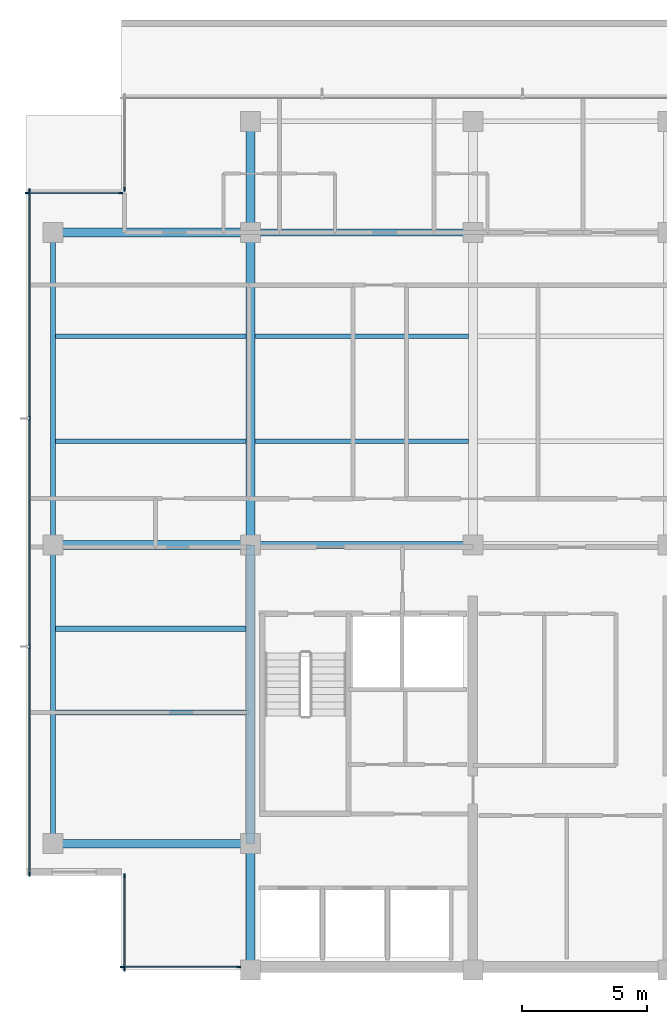
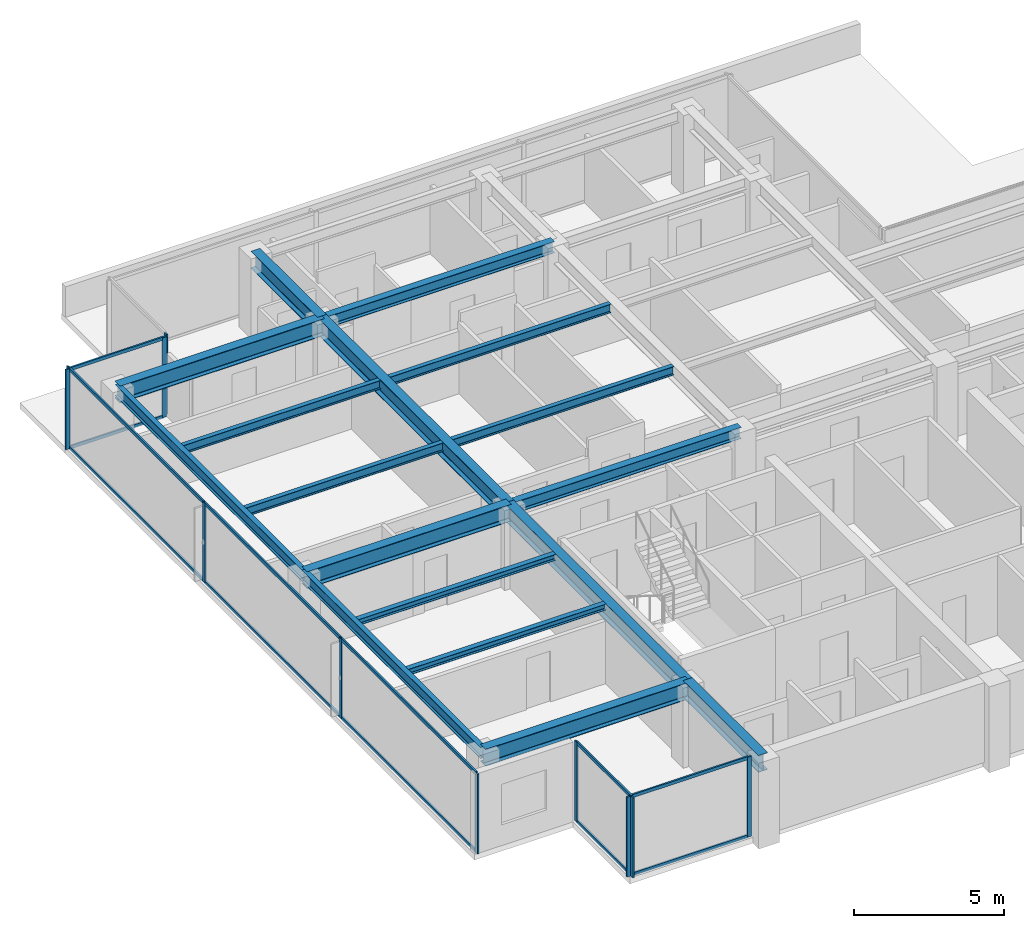
# One storey, part 2 of 11: 23 members, 17 beams, 5 elements without a shape of their own.
"""IFC4 building model written with IfcOpenShell, lengths in metres."""

import ifcopenshell
import ifcopenshell.guid

model = None  # the IFC model being written
_history = None  # IfcOwnerHistory: only IFC2X3 demands one
_inside = {}  # id of a spatial element -> (the spatial element, [elements in it])
_under = {}  # id of a project, library or spatial element -> (it, [spatial elements below it])
_declared = {}  # id of a project -> (the project, [libraries it declares])
_typed = {}  # id of a type object -> (the type object, [elements of that type])
_made_of = {}  # id of a material, layer set ... -> (it, [elements and type objects made of it])


def new_model(schema):
    """Start an empty IFC model of exactly this schema.

    Asked for "IFC4X3", IfcOpenShell would pick the latest addendum, in which some entities
    have other attributes; the version numbers below select the first issue.
    IFC2X3 requires an IfcOwnerHistory on every rooted entity: one is made here for all.
    """
    global model, _history
    if schema == "IFC4X3":
        model = ifcopenshell.file(schema_version=(4, 3, 0, 0))
    else:
        model = ifcopenshell.file(schema=schema)
    _inside.clear()
    _under.clear()
    _declared.clear()
    _typed.clear()
    _made_of.clear()
    _history = None
    if model.schema == "IFC2X3":
        org = make("IfcOrganization", Name="unknown")
        user = make(
            "IfcPersonAndOrganization",
            ThePerson=make("IfcPerson", FamilyName="unknown"),
            TheOrganization=org,
        )
        app = make(
            "IfcApplication",
            ApplicationDeveloper=org,
            Version="unknown",
            ApplicationFullName="unknown",
            ApplicationIdentifier="unknown",
        )
        _history = make(
            "IfcOwnerHistory",
            OwningUser=user,
            OwningApplication=app,
            ChangeAction="ADDED",
            CreationDate=0,
        )
    return model


def make(cls, **values):
    """One entity of the class cls with the attributes given. An attribute that is None is left unset."""
    return model.create_entity(
        cls, **{name: value for name, value in values.items() if value is not None}
    )


def rooted(cls, **values):
    """An entity with a GlobalId (a new one), such as an element, a storey or a relation."""
    return make(cls, GlobalId=ifcopenshell.guid.new(), OwnerHistory=_history, **values)


def si_unit(unit_type, name, prefix=None):
    """IfcSIUnit, for example si_unit("LENGTHUNIT", "METRE", prefix="MILLI")."""
    return make("IfcSIUnit", UnitType=unit_type, Prefix=prefix, Name=name)


def assignment(units):
    """IfcUnitAssignment: the units of a project."""
    return None if units is None else make("IfcUnitAssignment", Units=units)


def point(xyz):
    """IfcCartesianPoint."""
    return None if xyz is None else make("IfcCartesianPoint", Coordinates=xyz)


def direction(xyz):
    """IfcDirection."""
    return None if xyz is None else make("IfcDirection", DirectionRatios=xyz)


def frame(location, z_axis=None, x_axis=None):
    """IfcAxis2Placement3D, a coordinate frame: its origin and axes. An axis left out is left unset."""
    return make(
        "IfcAxis2Placement3D",
        Location=point(location),
        Axis=direction(z_axis),
        RefDirection=direction(x_axis),
    )


def frame_2d(location, x_axis=None):
    """IfcAxis2Placement2D, a coordinate frame in the plane: its origin and x axis."""
    return make(
        "IfcAxis2Placement2D", Location=point(location), RefDirection=direction(x_axis)
    )


def origin():
    """The frame at (0, 0, 0) with its axes left unset."""
    return frame((0.0, 0.0, 0.0))


def origin_2d():
    """The frame at (0, 0) in the plane with its x axis left unset."""
    return frame_2d((0.0, 0.0))


def place(relative_to, where):
    """IfcLocalPlacement: puts the frame where relative to a parent placement (None: the world)."""
    return make(
        "IfcLocalPlacement", PlacementRelTo=relative_to, RelativePlacement=where
    )


def context(
    kind, dimensions, precision=None, world=None, true_north=None, identifier=None
):
    """IfcGeometricRepresentationContext, for example the 3D "Model" context."""
    return make(
        "IfcGeometricRepresentationContext",
        ContextIdentifier=identifier,
        ContextType=kind,
        CoordinateSpaceDimension=dimensions,
        Precision=precision,
        WorldCoordinateSystem=world,
        TrueNorth=true_north,
    )


def subcontext(parent, identifier, kind, view, scale=None):
    """IfcGeometricRepresentationSubContext, for example "Body" below "Model"."""
    return make(
        "IfcGeometricRepresentationSubContext",
        ContextIdentifier=identifier,
        ContextType=kind,
        ParentContext=parent,
        TargetScale=scale,
        TargetView=view,
    )


def project(units=None, contexts=None):
    """IfcProject with its units and contexts."""
    return rooted(
        "IfcProject",
        Name="project",
        RepresentationContexts=contexts,
        UnitsInContext=assignment(units),
    )


def spatial(cls, under=None, at=None, **own):
    """A site, building, storey or space (cls), placed at a placement, below another one or the project."""
    s = rooted(cls, ObjectPlacement=at, **own)
    if under is not None:
        _under.setdefault(under.id(), (under, []))[1].append(s)
    return s


def profile(cls, at=None, kind="AREA", **sizes):
    """A parametric profile (cls). Its sizes go by their IFC names, for example OverallWidth=200.0."""
    return make(cls, ProfileType=kind, Position=at, **sizes)


def rectangle(**sizes):
    """IfcRectangleProfileDef."""
    return profile("IfcRectangleProfileDef", **sizes)


def i_section(**sizes):
    """IfcIShapeProfileDef."""
    return profile("IfcIShapeProfileDef", **sizes)


def extrude(swept, where, along, depth):
    """IfcExtrudedAreaSolid: the profile swept, set in the frame where, extruded along a direction by depth."""
    return make(
        "IfcExtrudedAreaSolid",
        SweptArea=swept,
        Position=where,
        ExtrudedDirection=direction(along),
        Depth=depth,
    )


def shape(context_of_items, identifier, shape_type, items):
    """IfcShapeRepresentation: the items that make up one representation, for example the "Body"."""
    return make(
        "IfcShapeRepresentation",
        ContextOfItems=context_of_items,
        RepresentationIdentifier=identifier,
        RepresentationType=shape_type,
        Items=items,
    )


def material(Name=None, Category=None):
    """IfcMaterial."""
    return make("IfcMaterial", Name=Name, Category=Category)


def layer(
    of_material, thickness, ventilated=None, Name=None, Category=None, Priority=None
):
    """IfcMaterialLayer: one layer of a wall or slab, of a material (None: an air gap)."""
    return make(
        "IfcMaterialLayer",
        Material=of_material,
        LayerThickness=thickness,
        IsVentilated=ventilated,
        Name=Name,
        Category=Category,
        Priority=Priority,
    )


def layer_set(layers, Name=None):
    """IfcMaterialLayerSet."""
    return make("IfcMaterialLayerSet", MaterialLayers=layers, LayerSetName=Name)


def material_profile(
    of_material, cross_section, Name=None, Category=None, Priority=None
):
    """IfcMaterialProfile: a cross section and its material."""
    return make(
        "IfcMaterialProfile",
        Name=Name,
        Material=of_material,
        Profile=cross_section,
        Priority=Priority,
        Category=Category,
    )


def profile_set(profiles, Name=None, composite=None):
    """IfcMaterialProfileSet."""
    return make(
        "IfcMaterialProfileSet",
        Name=Name,
        MaterialProfiles=profiles,
        CompositeProfile=composite,
    )


def made_of(thing, what):
    """Note that an element or type object is made of a material, layer set ...; save() writes the relation."""
    if what is not None:
        _made_of.setdefault(what.id(), (what, []))[1].append(thing)
    return thing


def type_object(cls, material=None, **own):
    """A type object (cls), such as IfcWallType, which elements share."""
    return made_of(rooted(cls, **own), material)


def element(
    cls,
    number,
    at=None,
    inside=None,
    cuts=None,
    type_object=None,
    material=None,
    context=None,
    identifier="Body",
    shape_type=None,
    held_by="IfcProductDefinitionShape",
    body=None,
    shapes=None,
    **own,
):
    """One element of the class cls, such as IfcWall. Its Tag is "e" and its number.

    at: its placement. inside: the storey or other place that contains it. cuts: it is an
    opening in that element (IfcRelVoidsElement). A single representation is given by context,
    identifier, shape_type and body (its items); several are given by shapes. held_by: the class
    of the entity that holds the representations. save() writes the other relations.
    """
    e = rooted(cls, Tag="e%d" % number, ObjectPlacement=at, **own)
    if body is not None:
        shapes = [shape(context, identifier, shape_type, body)]
    if shapes is not None:
        e.Representation = make(held_by, Representations=shapes)
    if inside is not None:
        _inside.setdefault(inside.id(), (inside, []))[1].append(e)
    if cuts is not None:
        rooted(
            "IfcRelVoidsElement", RelatingBuildingElement=cuts, RelatedOpeningElement=e
        )
    if type_object is not None:
        _typed.setdefault(type_object.id(), (type_object, []))[1].append(e)
    return made_of(e, material)


def aggregate(whole, parts):
    """IfcRelAggregates: a whole, such as a stair, and the parts it consists of."""
    return rooted("IfcRelAggregates", RelatingObject=whole, RelatedObjects=parts)


def save(model, path):
    """Write the relations noted so far, then the file.

    IfcRelAggregates (storeys below a building ...), IfcRelContainedInSpatialStructure (elements
    in a storey), IfcRelDefinesByType, IfcRelAssociatesMaterial and IfcRelDeclares: one each for
    every whole, place, type object, material and project.
    """
    for whole, parts in _under.values():
        aggregate(whole, parts)
    for where, things in _inside.values():
        rooted(
            "IfcRelContainedInSpatialStructure",
            RelatedElements=things,
            RelatingStructure=where,
        )
    for kind, things in _typed.values():
        rooted("IfcRelDefinesByType", RelatedObjects=things, RelatingType=kind)
    for what, things in _made_of.values():
        rooted("IfcRelAssociatesMaterial", RelatedObjects=things, RelatingMaterial=what)
    for by, libraries in _declared.values():
        rooted("IfcRelDeclares", RelatingContext=by, RelatedDefinitions=libraries)
    model.write(path)


model = new_model("IFC4")

# Units and contexts
model_context = context("Model", 3, precision=1e-05, world=origin(), true_north=direction((0.0, 1.0)))
body_context = subcontext(model_context, "Body", "Model", "MODEL_VIEW")
ifc_project = project(units=[si_unit("LENGTHUNIT", "METRE"), si_unit("AREAUNIT", "SQUARE_METRE"), si_unit("VOLUMEUNIT", "CUBIC_METRE"), si_unit("PLANEANGLEUNIT", "RADIAN"), si_unit("MASSUNIT", "GRAM", prefix="KILO")], contexts=[model_context])

# Site, building, storey
site_placement = place(None, origin())
site = spatial("IfcSite", under=ifc_project, at=site_placement, CompositionType="ELEMENT")
building_placement = place(site_placement, origin())
building = spatial("IfcBuilding", under=site, at=building_placement, Name="Qalmaran Belvedere Hotel", CompositionType="ELEMENT")
storey_placement = place(building_placement, frame((0.0, 0.0, 238.89990234375)))
storey = spatial("IfcBuildingStorey", under=building, at=storey_placement, Name="L61", CompositionType="ELEMENT", Elevation=238.89990234375)

# Beams
ifc_material_1 = material(Name="Steel S355JR", Category="steel")
ifc_material_profile_1 = material_profile(ifc_material_1, i_section(OverallWidth=0.201904296875, OverallDepth=0.2470703125, WebThickness=0.00732421875, FlangeThickness=0.010986328125, FilletRadius=0.011962890625, at=origin_2d()), Name="W250X49")
ifc_profile_set_1 = profile_set([ifc_material_profile_1], Name="Steel S355JR")
beam_type_1 = type_object("IfcBeamType", Name="BM-JST-W250X49", PredefinedType="JOIST", material=ifc_profile_set_1)
for number, where, z_axis, x_axis, name in (
    (1, (12.493896484375, 13.800048828125, 3.13671875), (1.0, 0.0, 0.0), (0.0, 1.0, 0.0), "L61 West Wing Joist 031"),
    (2, (12.493896484375, 17.14990234375, 3.13671875), (1.0, 0.0, 0.0), (0.0, 1.0, 0.0), "L61 West Wing Joist 033"),
):
    element("IfcBeam", number, at=place(storey_placement, frame(where, z_axis=z_axis, x_axis=x_axis)), inside=storey, type_object=beam_type_1, Name=name, PredefinedType="JOIST", context=body_context, shape_type="SweptSolid", body=[
        extrude(i_section(OverallWidth=0.201904296875, OverallDepth=0.2470703125, WebThickness=0.00732421875, FlangeThickness=0.010986328125, FilletRadius=0.011962890625, at=origin_2d()), origin(), (0.0, 0.0, 1.0), 7.630615234375),
    ])
ifc_material_profile_2 = material_profile(ifc_material_1, i_section(OverallWidth=0.172119140625, OverallDepth=0.35791015625, WebThickness=0.0078125, FlangeThickness=0.01318359375, FilletRadius=0.014892578125, at=origin_2d()), Name="W360X57")
ifc_profile_set_2 = profile_set([ifc_material_profile_2], Name="Steel S355JR")
beam_type_2 = type_object("IfcBeamType", Name="BM-SB4-W360X57", PredefinedType="BEAM", material=ifc_profile_set_2)
beam_1_placement = place(storey_placement, frame((12.493896484375, 24.64990234375, 3.0810546875), z_axis=(1.0, 0.0, 0.0), x_axis=(0.0, 1.0, 0.0)))
element("IfcBeam", 3, at=beam_1_placement, inside=storey, type_object=beam_type_2, Name="L61 West Secondary Beam 024", PredefinedType="BEAM", context=body_context, shape_type="SweptSolid", body=[
    extrude(i_section(OverallWidth=0.172119140625, OverallDepth=0.35791015625, WebThickness=0.0078125, FlangeThickness=0.01318359375, FilletRadius=0.014892578125, at=origin_2d()), origin(), (0.0, 0.0, 1.0), 7.630615234375),
])
beam_2_placement = place(storey_placement, frame((20.4755859375, 24.64990234375, 3.0810546875), z_axis=(1.0, 0.0, 0.0), x_axis=(0.0, 1.0, 0.0)))
element("IfcBeam", 4, at=beam_2_placement, inside=storey, type_object=beam_type_2, Name="L61 Secondary Floor Beam 025", PredefinedType="BEAM", context=body_context, shape_type="SweptSolid", body=[
    extrude(i_section(OverallWidth=0.172119140625, OverallDepth=0.35791015625, WebThickness=0.0078125, FlangeThickness=0.01318359375, FilletRadius=0.014892578125, at=origin_2d()), origin(), (0.0, 0.0, 1.0), 8.548828125),
])
beam_3_placement = place(storey_placement, frame((12.493896484375, 28.85009765625, 3.0810546875), z_axis=(1.0, 0.0, 0.0), x_axis=(0.0, 1.0, 0.0)))
element("IfcBeam", 5, at=beam_3_placement, inside=storey, type_object=beam_type_2, Name="L61 West Secondary Beam 028", PredefinedType="BEAM", context=body_context, shape_type="SweptSolid", body=[
    extrude(i_section(OverallWidth=0.172119140625, OverallDepth=0.35791015625, WebThickness=0.0078125, FlangeThickness=0.01318359375, FilletRadius=0.014892578125, at=origin_2d()), origin(), (0.0, 0.0, 1.0), 7.630615234375),
])
beam_4_placement = place(storey_placement, frame((20.4755859375, 28.85009765625, 3.0810546875), z_axis=(1.0, 0.0, 0.0), x_axis=(0.0, 1.0, 0.0)))
element("IfcBeam", 6, at=beam_4_placement, inside=storey, type_object=beam_type_2, Name="L61 Secondary Floor Beam 029", PredefinedType="BEAM", context=body_context, shape_type="SweptSolid", body=[
    extrude(i_section(OverallWidth=0.172119140625, OverallDepth=0.35791015625, WebThickness=0.0078125, FlangeThickness=0.01318359375, FilletRadius=0.014892578125, at=origin_2d()), origin(), (0.0, 0.0, 1.0), 8.548828125),
])
ifc_material_profile_3 = material_profile(ifc_material_1, i_section(OverallWidth=0.19189453125, OverallDepth=0.462890625, WebThickness=0.010498046875, FlangeThickness=0.017578125, FilletRadius=0.01611328125, at=origin_2d()), Name="W460X89")
ifc_profile_set_3 = profile_set([ifc_material_profile_3], Name="Steel S355JR")
beam_type_3 = type_object("IfcBeamType", Name="BM-SP2-W460X89", PredefinedType="SPANDREL", material=ifc_profile_set_3)
beam_5_placement = place(storey_placement, frame((12.39990234375, 8.550048828125, 3.028564453125), z_axis=(0.0, 1.0, 0.0), x_axis=(-1.0, 0.0, 0.0)))
element("IfcBeam", 7, at=beam_5_placement, inside=storey, type_object=beam_type_3, Name="L61 Perimeter Spandrel 01", PredefinedType="SPANDREL", context=body_context, shape_type="SweptSolid", body=[
    extrude(i_section(OverallWidth=0.19189453125, OverallDepth=0.462890625, WebThickness=0.010498046875, FlangeThickness=0.017578125, FilletRadius=0.01611328125, at=origin_2d()), origin(), (0.0, 0.0, 1.0), 11.949951171875),
])
beam_6_placement = place(storey_placement, frame((12.39990234375, 20.5, 3.028564453125), z_axis=(0.0, 1.0, 0.0), x_axis=(-1.0, 0.0, 0.0)))
element("IfcBeam", 8, at=beam_6_placement, inside=storey, type_object=beam_type_3, Name="L61 Perimeter Spandrel 02", PredefinedType="SPANDREL", context=body_context, shape_type="SweptSolid", body=[
    extrude(i_section(OverallWidth=0.19189453125, OverallDepth=0.462890625, WebThickness=0.010498046875, FlangeThickness=0.017578125, FilletRadius=0.01611328125, at=origin_2d()), origin(), (0.0, 0.0, 1.0), 12.5),
])
ifc_material_profile_4 = material_profile(ifc_material_1, i_section(OverallWidth=0.35498046875, OverallDepth=0.695068359375, WebThickness=0.015380859375, FlangeThickness=0.02490234375, FilletRadius=0.02197265625, at=origin_2d()), Name="W690X217")
ifc_profile_set_4 = profile_set([ifc_material_profile_4], Name="Steel S355JR")
beam_type_4 = type_object("IfcBeamType", Name="BM-Z1-W690X217", PredefinedType="USERDEFINED", material=ifc_profile_set_4)
beam_7_placement = place(storey_placement, frame((20.300048828125, 20.5, 2.91259765625), z_axis=(0.0, 1.0, 0.0), x_axis=(-1.0, 0.0, 0.0)))
element("IfcBeam", 9, at=beam_7_placement, inside=storey, type_object=beam_type_4, Name="L61 Mid-Plate N-S Girder 11", ObjectType="GIRDER", PredefinedType="USERDEFINED", context=body_context, shape_type="SweptSolid", body=[
    extrude(i_section(OverallWidth=0.35498046875, OverallDepth=0.695068359375, WebThickness=0.015380859375, FlangeThickness=0.02490234375, FilletRadius=0.02197265625, at=origin_2d()), origin(), (0.0, 0.0, 1.0), 12.5),
])
beam_8_placement = place(storey_placement, frame((20.300048828125, 33.0, 2.91259765625), z_axis=(0.0, 1.0, 0.0), x_axis=(-1.0, 0.0, 0.0)))
element("IfcBeam", 10, at=beam_8_placement, inside=storey, type_object=beam_type_4, Name="L61 North Bay Girder 12", ObjectType="GIRDER", PredefinedType="USERDEFINED", context=body_context, shape_type="SweptSolid", body=[
    extrude(i_section(OverallWidth=0.35498046875, OverallDepth=0.695068359375, WebThickness=0.015380859375, FlangeThickness=0.02490234375, FilletRadius=0.02197265625, at=origin_2d()), origin(), (0.0, 0.0, 1.0), 4.449951171875),
])
for number, where, z_axis, x_axis, name in (
    (11, (12.39990234375, 8.550048828125, 2.91259765625), (1.0, 0.0, 0.0), (0.0, 1.0, 0.0), "L61 West Wing Girder 19"),
    (12, (12.39990234375, 20.5, 2.91259765625), (1.0, 0.0, 0.0), (0.0, 1.0, 0.0), "L61 West Wing Girder 20"),
    (13, (12.39990234375, 33.0, 2.91259765625), (1.0, 0.0, 0.0), (0.0, 1.0, 0.0), "L61 West Wing Girder 21"),
):
    element("IfcBeam", number, at=place(storey_placement, frame(where, z_axis=z_axis, x_axis=x_axis)), inside=storey, type_object=beam_type_4, Name=name, ObjectType="GIRDER", PredefinedType="USERDEFINED", context=body_context, shape_type="SweptSolid", body=[
        extrude(i_section(OverallWidth=0.35498046875, OverallDepth=0.695068359375, WebThickness=0.015380859375, FlangeThickness=0.02490234375, FilletRadius=0.02197265625, at=origin_2d()), origin(), (0.0, 0.0, 1.0), 7.900146484375),
    ])
beam_9_placement = place(storey_placement, frame((20.300048828125, 3.5, 2.91259765625), z_axis=(0.0, 1.0, 0.0), x_axis=(-1.0, 0.0, 0.0)))
element("IfcBeam", 14, at=beam_9_placement, inside=storey, type_object=beam_type_4, Name="L61 West Core Edge Girder A", ObjectType="GIRDER", PredefinedType="USERDEFINED", context=body_context, shape_type="SweptSolid", body=[
    extrude(i_section(OverallWidth=0.35498046875, OverallDepth=0.695068359375, WebThickness=0.015380859375, FlangeThickness=0.02490234375, FilletRadius=0.02197265625, at=origin_2d()), origin(), (0.0, 0.0, 1.0), 5.050048828125),
])
beam_10_placement = place(storey_placement, frame((20.300048828125, 8.550048828125, 2.91259765625), z_axis=(0.0, 1.0, 0.0), x_axis=(-1.0, 0.0, 0.0)))
element("IfcBeam", 15, at=beam_10_placement, inside=storey, type_object=beam_type_4, Name="L61 West Core Edge Girder B", ObjectType="GIRDER", PredefinedType="USERDEFINED", context=body_context, shape_type="SweptSolid", body=[
    extrude(i_section(OverallWidth=0.35498046875, OverallDepth=0.695068359375, WebThickness=0.015380859375, FlangeThickness=0.02490234375, FilletRadius=0.02197265625, at=origin_2d()), origin(), (0.0, 0.0, 1.0), 11.949951171875),
])
ifc_material_profile_5 = material_profile(ifc_material_1, i_section(OverallWidth=0.280029296875, OverallDepth=0.462890625, WebThickness=0.0107421875, FlangeThickness=0.017333984375, FilletRadius=0.01611328125, at=origin_2d()), Name="W460X113")
ifc_profile_set_5 = profile_set([ifc_material_profile_5], Name="Steel S355JR")
beam_type_5 = type_object("IfcBeamType", Name="BM-Z5-W460X113", PredefinedType="USERDEFINED", material=ifc_profile_set_5)
for number, where, z_axis, x_axis, name in (
    (16, (20.300048828125, 20.5, 3.028564453125), (1.0, 0.0, 0.0), (0.0, 1.0, 0.0), "L61 Interior E-W Girder 06"),
    (17, (20.300048828125, 33.0, 3.028564453125), (1.0, 0.0, 0.0), (0.0, 1.0, 0.0), "L61 Interior E-W Girder 09"),
):
    element("IfcBeam", number, at=place(storey_placement, frame(where, z_axis=z_axis, x_axis=x_axis)), inside=storey, type_object=beam_type_5, Name=name, ObjectType="GIRDER", PredefinedType="USERDEFINED", context=body_context, shape_type="SweptSolid", body=[
        extrude(i_section(OverallWidth=0.280029296875, OverallDepth=0.462890625, WebThickness=0.0107421875, FlangeThickness=0.017333984375, FilletRadius=0.01611328125, at=origin_2d()), origin(), (0.0, 0.0, 1.0), 8.89990234375),
    ])

# Curtain wall, members
ifc_material_2 = material(Name="Anodised Bronze Aluminium", Category="aluminium")
ifc_layer = layer(ifc_material_2, 0.18505859375, Name="Anodised Bronze Aluminium")
ifc_layer_set = layer_set([ifc_layer], Name="Anodised Bronze Aluminium")
curtain_wall_type = type_object("IfcCurtainWallType", Name="CW6-TOWER-SKY", PredefinedType="NOTDEFINED", material=ifc_layer_set)
curtain_wall_1_placement = place(storey_placement, origin())
curtain_wall_1 = element("IfcCurtainWall", 18, at=curtain_wall_1_placement, inside=storey, type_object=curtain_wall_type, Name="L61 Curtain Wall CW6", PredefinedType="NOTDEFINED")
ifc_material_profile_6 = material_profile(ifc_material_2, rectangle(XDim=0.06494140625, YDim=0.1650390625, at=origin_2d()), Name="CWM65X165")
ifc_profile_set_6 = profile_set([ifc_material_profile_6], Name="Anodised Bronze Aluminium")
member_type_1 = type_object("IfcMemberType", Name="CWM-65X165", PredefinedType="MULLION", material=ifc_profile_set_6)
member_1_placement = place(storey_placement, frame((15.1826171875, 3.6201171875, 0.0), z_axis=(0.0, 0.0, 1.0), x_axis=(0.0, 1.0, 0.0)))
member_1 = element("IfcMember", 19, at=member_1_placement, type_object=member_type_1, Name="CW6 mullion 1", PredefinedType="MULLION", context=body_context, shape_type="SweptSolid", body=[
    extrude(rectangle(XDim=0.06494140625, YDim=0.1650390625, at=origin_2d()), origin(), (0.0, 0.0, 1.0), 3.260009765625),
])
member_2_placement = place(storey_placement, frame((19.827392578125, 3.6201171875, 0.0), z_axis=(0.0, 0.0, 1.0), x_axis=(0.0, 1.0, 0.0)))
member_2 = element("IfcMember", 20, at=member_2_placement, type_object=member_type_1, Name="CW6 mullion 2", PredefinedType="MULLION", context=body_context, shape_type="SweptSolid", body=[
    extrude(rectangle(XDim=0.06494140625, YDim=0.1650390625, at=origin_2d()), origin(), (0.0, 0.0, 1.0), 3.260009765625),
])

# Curtain wall, member
curtain_wall_2_placement = place(storey_placement, origin())
curtain_wall_2 = element("IfcCurtainWall", 21, at=curtain_wall_2_placement, inside=storey, type_object=curtain_wall_type, Name="L61 Curtain Wall CW6", PredefinedType="NOTDEFINED")
member_3_placement = place(storey_placement, frame((15.27001953125, 34.732421875, 0.0), z_axis=(0.0, 0.0, 1.0), x_axis=(1.0, 0.0, 0.0)))
member_3 = element("IfcMember", 22, at=member_3_placement, type_object=member_type_1, Name="CW6 mullion 2", PredefinedType="MULLION", context=body_context, shape_type="SweptSolid", body=[
    extrude(rectangle(XDim=0.06494140625, YDim=0.1650390625, at=origin_2d()), origin(), (0.0, 0.0, 1.0), 3.260009765625),
])
aggregate(curtain_wall_2, [member_3])

# Curtain wall, members
curtain_wall_3_placement = place(storey_placement, origin())
curtain_wall_3 = element("IfcCurtainWall", 23, at=curtain_wall_3_placement, inside=storey, type_object=curtain_wall_type, Name="L61 Curtain Wall CW6", PredefinedType="NOTDEFINED")
member_4_placement = place(storey_placement, frame((15.117431640625, 34.580078125, 0.0), z_axis=(0.0, 0.0, 1.0), x_axis=(0.0, -1.0, 0.0)))
member_4 = element("IfcMember", 24, at=member_4_placement, type_object=member_type_1, Name="CW6 mullion 1", PredefinedType="MULLION", context=body_context, shape_type="SweptSolid", body=[
    extrude(rectangle(XDim=0.06494140625, YDim=0.1650390625, at=origin_2d()), origin(), (0.0, 0.0, 1.0), 3.260009765625),
])
member_5_placement = place(storey_placement, frame((11.382568359375, 34.580078125, 0.0), z_axis=(0.0, 0.0, 1.0), x_axis=(0.0, -1.0, 0.0)))
member_5 = element("IfcMember", 25, at=member_5_placement, type_object=member_type_1, Name="CW6 mullion 2", PredefinedType="MULLION", context=body_context, shape_type="SweptSolid", body=[
    extrude(rectangle(XDim=0.06494140625, YDim=0.1650390625, at=origin_2d()), origin(), (0.0, 0.0, 1.0), 3.260009765625),
])

curtain_wall_4_placement = place(storey_placement, origin())
curtain_wall_4 = element("IfcCurtainWall", 26, at=curtain_wall_4_placement, inside=storey, type_object=curtain_wall_type, Name="L61 Curtain Wall CW6", PredefinedType="NOTDEFINED")
member_6_placement = place(storey_placement, frame((11.469970703125, 34.66748046875, 0.0), z_axis=(0.0, 0.0, 1.0), x_axis=(1.0, 0.0, 0.0)))
member_6 = element("IfcMember", 27, at=member_6_placement, type_object=member_type_1, Name="CW6 mullion 1", PredefinedType="MULLION", context=body_context, shape_type="SweptSolid", body=[
    extrude(rectangle(XDim=0.06494140625, YDim=0.1650390625, at=origin_2d()), origin(), (0.0, 0.0, 1.0), 3.260009765625),
])
member_7_placement = place(storey_placement, frame((11.469970703125, 25.566650390625, 0.0), z_axis=(0.0, 0.0, 1.0), x_axis=(1.0, 0.0, 0.0)))
member_7 = element("IfcMember", 28, at=member_7_placement, type_object=member_type_1, Name="CW6 mullion 2", PredefinedType="MULLION", context=body_context, shape_type="SweptSolid", body=[
    extrude(rectangle(XDim=0.06494140625, YDim=0.1650390625, at=origin_2d()), origin(), (0.0, 0.0, 1.0), 3.260009765625),
])
member_8_placement = place(storey_placement, frame((11.469970703125, 16.433349609375, 0.0), z_axis=(0.0, 0.0, 1.0), x_axis=(1.0, 0.0, 0.0)))
member_8 = element("IfcMember", 29, at=member_8_placement, type_object=member_type_1, Name="CW6 mullion 3", PredefinedType="MULLION", context=body_context, shape_type="SweptSolid", body=[
    extrude(rectangle(XDim=0.06494140625, YDim=0.1650390625, at=origin_2d()), origin(), (0.0, 0.0, 1.0), 3.260009765625),
])
member_9_placement = place(storey_placement, frame((11.469970703125, 7.33251953125, 0.0), z_axis=(0.0, 0.0, 1.0), x_axis=(1.0, 0.0, 0.0)))
member_9 = element("IfcMember", 30, at=member_9_placement, type_object=member_type_1, Name="CW6 mullion 4", PredefinedType="MULLION", context=body_context, shape_type="SweptSolid", body=[
    extrude(rectangle(XDim=0.06494140625, YDim=0.1650390625, at=origin_2d()), origin(), (0.0, 0.0, 1.0), 3.260009765625),
])

curtain_wall_5_placement = place(storey_placement, origin())
curtain_wall_5 = element("IfcCurtainWall", 31, at=curtain_wall_5_placement, inside=storey, type_object=curtain_wall_type, Name="L61 Curtain Wall CW6", PredefinedType="NOTDEFINED")
member_10_placement = place(storey_placement, frame((15.27001953125, 7.267578125, 0.0), z_axis=(0.0, 0.0, 1.0), x_axis=(1.0, 0.0, 0.0)))
member_10 = element("IfcMember", 32, at=member_10_placement, type_object=member_type_1, Name="CW6 mullion 1", PredefinedType="MULLION", context=body_context, shape_type="SweptSolid", body=[
    extrude(rectangle(XDim=0.06494140625, YDim=0.1650390625, at=origin_2d()), origin(), (0.0, 0.0, 1.0), 3.260009765625),
])
member_11_placement = place(storey_placement, frame((15.27001953125, 3.532470703125, 0.0), z_axis=(0.0, 0.0, 1.0), x_axis=(1.0, 0.0, 0.0)))
member_11 = element("IfcMember", 33, at=member_11_placement, type_object=member_type_1, Name="CW6 mullion 2", PredefinedType="MULLION", context=body_context, shape_type="SweptSolid", body=[
    extrude(rectangle(XDim=0.06494140625, YDim=0.1650390625, at=origin_2d()), origin(), (0.0, 0.0, 1.0), 3.260009765625),
])

# Member
ifc_material_profile_7 = material_profile(ifc_material_2, rectangle(XDim=0.06494140625, YDim=0.1298828125, at=origin_2d()), Name="CWT65X130")
ifc_profile_set_7 = profile_set([ifc_material_profile_7], Name="Anodised Bronze Aluminium")
member_type_2 = type_object("IfcMemberType", Name="CWT-65X130", PredefinedType="USERDEFINED", material=ifc_profile_set_7)
member_12_placement = place(storey_placement, frame((15.215087890625, 3.6201171875, 0.03271484375), z_axis=(1.0, 0.0, 0.0), x_axis=(0.0, 1.0, 0.0)))
member_12 = element("IfcMember", 34, at=member_12_placement, type_object=member_type_2, Name="CW6 transom 1.1", ObjectType="TRANSOM", PredefinedType="USERDEFINED", context=body_context, shape_type="SweptSolid", body=[
    extrude(rectangle(XDim=0.06494140625, YDim=0.1298828125, at=origin_2d()), origin(), (0.0, 0.0, 1.0), 4.579833984375),
])

member_13_placement = place(storey_placement, frame((15.215087890625, 3.6201171875, 3.2275390625), z_axis=(1.0, 0.0, 0.0), x_axis=(0.0, 1.0, 0.0)))
member_13 = element("IfcMember", 35, at=member_13_placement, type_object=member_type_2, Name="CW6 transom 1.2", ObjectType="TRANSOM", PredefinedType="USERDEFINED", context=body_context, shape_type="SweptSolid", body=[
    extrude(rectangle(XDim=0.06494140625, YDim=0.1298828125, at=origin_2d()), origin(), (0.0, 0.0, 1.0), 4.579833984375),
])

aggregate(curtain_wall_1, [member_1, member_2, member_12, member_13])

member_14_placement = place(storey_placement, frame((15.0849609375, 34.580078125, 0.03271484375), z_axis=(-1.0, 0.0, 0.0), x_axis=(0.0, -1.0, 0.0)))
member_14 = element("IfcMember", 36, at=member_14_placement, type_object=member_type_2, Name="CW6 transom 1.1", ObjectType="TRANSOM", PredefinedType="USERDEFINED", context=body_context, shape_type="SweptSolid", body=[
    extrude(rectangle(XDim=0.06494140625, YDim=0.1298828125, at=origin_2d()), origin(), (0.0, 0.0, 1.0), 3.669921875),
])

member_15_placement = place(storey_placement, frame((15.0849609375, 34.580078125, 3.2275390625), z_axis=(-1.0, 0.0, 0.0), x_axis=(0.0, -1.0, 0.0)))
member_15 = element("IfcMember", 37, at=member_15_placement, type_object=member_type_2, Name="CW6 transom 1.2", ObjectType="TRANSOM", PredefinedType="USERDEFINED", context=body_context, shape_type="SweptSolid", body=[
    extrude(rectangle(XDim=0.06494140625, YDim=0.1298828125, at=origin_2d()), origin(), (0.0, 0.0, 1.0), 3.669921875),
])

aggregate(curtain_wall_3, [member_4, member_5, member_14, member_15])

member_16_placement = place(storey_placement, frame((11.469970703125, 34.635009765625, 0.03271484375), z_axis=(0.0, -1.0, 0.0), x_axis=(1.0, 0.0, 0.0)))
member_16 = element("IfcMember", 38, at=member_16_placement, type_object=member_type_2, Name="CW6 transom 1.1", ObjectType="TRANSOM", PredefinedType="USERDEFINED", context=body_context, shape_type="SweptSolid", body=[
    extrude(rectangle(XDim=0.06494140625, YDim=0.1298828125, at=origin_2d()), origin(), (0.0, 0.0, 1.0), 9.035888671875),
])

member_17_placement = place(storey_placement, frame((11.469970703125, 34.635009765625, 3.2275390625), z_axis=(0.0, -1.0, 0.0), x_axis=(1.0, 0.0, 0.0)))
member_17 = element("IfcMember", 39, at=member_17_placement, type_object=member_type_2, Name="CW6 transom 1.2", ObjectType="TRANSOM", PredefinedType="USERDEFINED", context=body_context, shape_type="SweptSolid", body=[
    extrude(rectangle(XDim=0.06494140625, YDim=0.1298828125, at=origin_2d()), origin(), (0.0, 0.0, 1.0), 9.035888671875),
])

member_18_placement = place(storey_placement, frame((11.469970703125, 25.5341796875, 0.03271484375), z_axis=(0.0, -1.0, 0.0), x_axis=(1.0, 0.0, 0.0)))
member_18 = element("IfcMember", 40, at=member_18_placement, type_object=member_type_2, Name="CW6 transom 2.1", ObjectType="TRANSOM", PredefinedType="USERDEFINED", context=body_context, shape_type="SweptSolid", body=[
    extrude(rectangle(XDim=0.06494140625, YDim=0.1298828125, at=origin_2d()), origin(), (0.0, 0.0, 1.0), 9.068359375),
])

member_19_placement = place(storey_placement, frame((11.469970703125, 25.5341796875, 3.2275390625), z_axis=(0.0, -1.0, 0.0), x_axis=(1.0, 0.0, 0.0)))
member_19 = element("IfcMember", 41, at=member_19_placement, type_object=member_type_2, Name="CW6 transom 2.2", ObjectType="TRANSOM", PredefinedType="USERDEFINED", context=body_context, shape_type="SweptSolid", body=[
    extrude(rectangle(XDim=0.06494140625, YDim=0.1298828125, at=origin_2d()), origin(), (0.0, 0.0, 1.0), 9.068359375),
])

member_20_placement = place(storey_placement, frame((11.469970703125, 16.40087890625, 0.03271484375), z_axis=(0.0, -1.0, 0.0), x_axis=(1.0, 0.0, 0.0)))
member_20 = element("IfcMember", 42, at=member_20_placement, type_object=member_type_2, Name="CW6 transom 3.1", ObjectType="TRANSOM", PredefinedType="USERDEFINED", context=body_context, shape_type="SweptSolid", body=[
    extrude(rectangle(XDim=0.06494140625, YDim=0.1298828125, at=origin_2d()), origin(), (0.0, 0.0, 1.0), 9.035888671875),
])

member_21_placement = place(storey_placement, frame((11.469970703125, 16.40087890625, 3.2275390625), z_axis=(0.0, -1.0, 0.0), x_axis=(1.0, 0.0, 0.0)))
member_21 = element("IfcMember", 43, at=member_21_placement, type_object=member_type_2, Name="CW6 transom 3.2", ObjectType="TRANSOM", PredefinedType="USERDEFINED", context=body_context, shape_type="SweptSolid", body=[
    extrude(rectangle(XDim=0.06494140625, YDim=0.1298828125, at=origin_2d()), origin(), (0.0, 0.0, 1.0), 9.035888671875),
])

aggregate(curtain_wall_4, [member_6, member_7, member_8, member_9, member_16, member_17, member_18, member_19, member_20, member_21])

member_22_placement = place(storey_placement, frame((15.27001953125, 7.235107421875, 0.03271484375), z_axis=(0.0, -1.0, 0.0), x_axis=(1.0, 0.0, 0.0)))
member_22 = element("IfcMember", 44, at=member_22_placement, type_object=member_type_2, Name="CW6 transom 1.1", ObjectType="TRANSOM", PredefinedType="USERDEFINED", context=body_context, shape_type="SweptSolid", body=[
    extrude(rectangle(XDim=0.06494140625, YDim=0.1298828125, at=origin_2d()), origin(), (0.0, 0.0, 1.0), 3.670166015625),
])

member_23_placement = place(storey_placement, frame((15.27001953125, 7.235107421875, 3.2275390625), z_axis=(0.0, -1.0, 0.0), x_axis=(1.0, 0.0, 0.0)))
member_23 = element("IfcMember", 45, at=member_23_placement, type_object=member_type_2, Name="CW6 transom 1.2", ObjectType="TRANSOM", PredefinedType="USERDEFINED", context=body_context, shape_type="SweptSolid", body=[
    extrude(rectangle(XDim=0.06494140625, YDim=0.1298828125, at=origin_2d()), origin(), (0.0, 0.0, 1.0), 3.670166015625),
])

aggregate(curtain_wall_5, [member_10, member_11, member_22, member_23])

save(model, "model.ifc")
